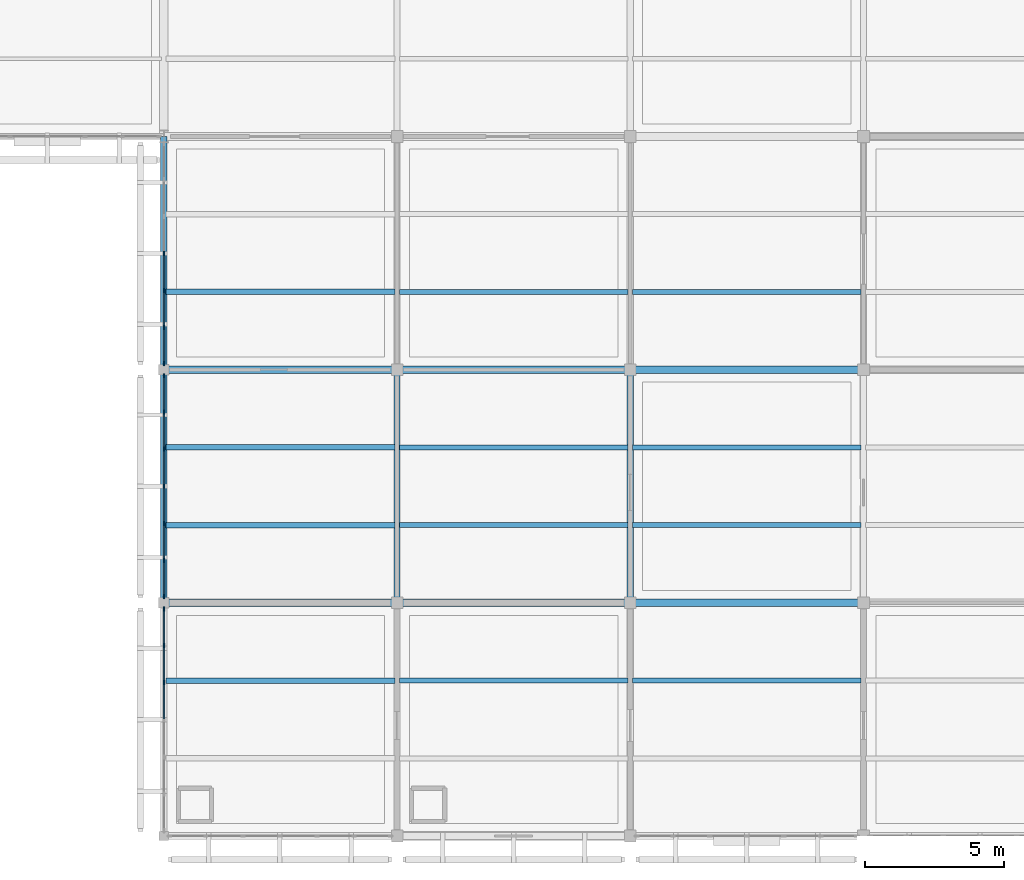
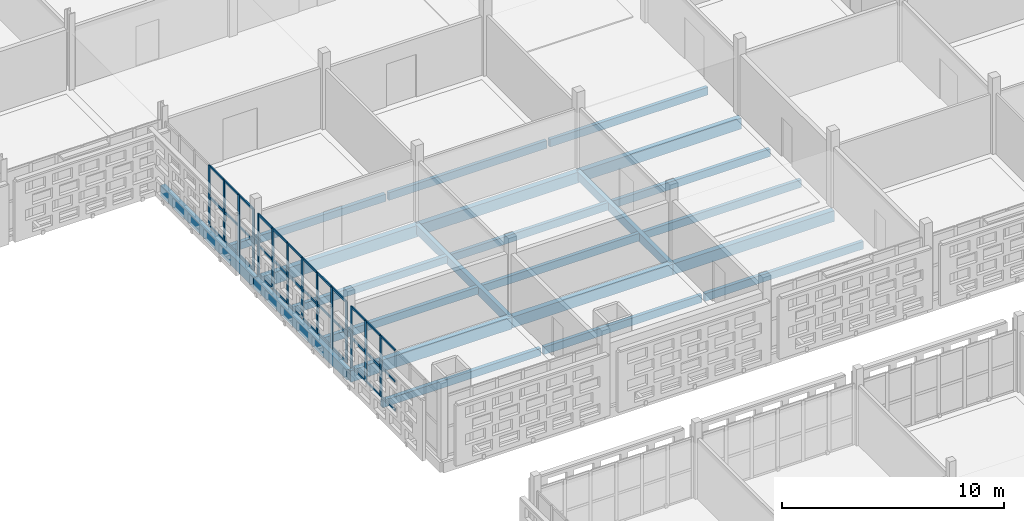
# One storey, part 67 of 166: 50 members, 22 beams, 3 elements without a shape of their own.
"""IFC4 building model written with IfcOpenShell, lengths in metres."""

from ifc_helpers import new_model, si_unit, direction, frame, origin, origin_2d, place, context, subcontext, project, spatial, rectangle, extrude, material, layer, layer_set, material_profile, profile_set, type_object, element, aggregate, save


model = new_model("IFC4")

# Units and contexts
model_context = context("Model", 3, precision=1e-05, world=origin(), true_north=direction((0.0, 1.0)))
body_context = subcontext(model_context, "Body", "Model", "MODEL_VIEW")
ifc_project = project(units=[si_unit("LENGTHUNIT", "METRE"), si_unit("AREAUNIT", "SQUARE_METRE"), si_unit("VOLUMEUNIT", "CUBIC_METRE"), si_unit("PLANEANGLEUNIT", "RADIAN"), si_unit("MASSUNIT", "GRAM", prefix="KILO")], contexts=[model_context])

# Site, building, storey
site_placement = place(None, origin())
site = spatial("IfcSite", under=ifc_project, at=site_placement, CompositionType="ELEMENT")
building_placement = place(site_placement, origin())
building = spatial("IfcBuilding", under=site, at=building_placement, Name="Varnapada Polytechnic", CompositionType="ELEMENT")
storey_placement = place(building_placement, frame((0.0, 0.0, 9.60009765625)))
storey = spatial("IfcBuildingStorey", under=building, at=storey_placement, Name="L02", CompositionType="ELEMENT", Elevation=9.60009765625)

# Beams
ifc_material_1 = material(Name="Glulam GL32h", Category="wood")
ifc_material_profile_1 = material_profile(ifc_material_1, rectangle(XDim=0.280029296875, YDim=0.639892578125, at=origin_2d()), Name="GL 280x640")
ifc_profile_set_1 = profile_set([ifc_material_profile_1], Name="Glulam GL32h")
beam_type_1 = type_object("IfcBeamType", Name="Laboratory primary glulam girder GG-02 (GL 280x640)", PredefinedType="BEAM", material=ifc_profile_set_1)
for number, where, z_axis, x_axis, name in (
    (1, (134.39990234375, 67.199951171875, -0.570068359375), (1.0, 0.0, 0.0), (0.0, 1.0, 0.0), "L02 beam X 17-18 at Y9"),
    (2, (134.39990234375, 75.60009765625, -0.570068359375), (1.0, 0.0, 0.0), (0.0, 1.0, 0.0), "L02 beam X 17-18 at Y10"),
):
    element("IfcBeam", number, at=place(storey_placement, frame(where, z_axis=z_axis, x_axis=x_axis)), inside=storey, type_object=beam_type_1, Name=name, PredefinedType="BEAM", context=body_context, shape_type="SweptSolid", body=[
        extrude(rectangle(XDim=0.280029296875, YDim=0.639892578125, at=origin_2d()), origin(), (0.0, 0.0, 1.0), 8.400146484375),
    ])
ifc_material_profile_2 = material_profile(ifc_material_1, rectangle(XDim=0.199951171875, YDim=0.39990234375, at=origin_2d()), Name="GL 200x400")
ifc_profile_set_2 = profile_set([ifc_material_profile_2], Name="Glulam GL32h")
beam_type_2 = type_object("IfcBeamType", Name="Library/laboratory glulam floor joist GJ-01 (GL 200x400)", PredefinedType="JOIST", material=ifc_profile_set_2)
for number, where, z_axis, x_axis, name in (
    (3, (134.47998046875, 64.39990234375, -0.4501953125), (1.0, 0.0, 0.0), (0.0, 1.0, 0.0), "L02 floor joist 17/8.2"),
    (4, (134.47998046875, 70.0, -0.4501953125), (1.0, 0.0, 0.0), (0.0, 1.0, 0.0), "L02 floor joist 17/9.1"),
    (5, (134.47998046875, 72.800048828125, -0.4501953125), (1.0, 0.0, 0.0), (0.0, 1.0, 0.0), "L02 floor joist 17/9.2"),
    (6, (134.47998046875, 78.39990234375, -0.4501953125), (1.0, 0.0, 0.0), (0.0, 1.0, 0.0), "L02 floor joist 17/10.1"),
):
    element("IfcBeam", number, at=place(storey_placement, frame(where, z_axis=z_axis, x_axis=x_axis)), inside=storey, type_object=beam_type_2, Name=name, PredefinedType="JOIST", context=body_context, shape_type="SweptSolid", body=[
        extrude(rectangle(XDim=0.199951171875, YDim=0.39990234375, at=origin_2d()), origin(), (0.0, 0.0, 1.0), 8.239990234375),
    ])

# Curtain wall, members
ifc_material_2 = material(Name="Double low-E laminated glass", Category="glass")
ifc_layer = layer(ifc_material_2, 0.159912109375)
ifc_layer_set = layer_set([ifc_layer], Name="Double low-E laminated glass")
curtain_wall_type = type_object("IfcCurtainWallType", Name="Curtain Wall CW-01", PredefinedType="NOTDEFINED", material=ifc_layer_set)
curtain_wall_1_placement = place(storey_placement, origin())
curtain_wall_1 = element("IfcCurtainWall", 7, at=curtain_wall_1_placement, inside=storey, type_object=curtain_wall_type, Name="L02 unitised curtain wall CW-01 (189)", PredefinedType="NOTDEFINED")
ifc_material_3 = material(Name="Anodised aluminium", Category="aluminium")
ifc_material_profile_3 = material_profile(ifc_material_3, rectangle(XDim=0.06005859375, YDim=0.159912109375, at=origin_2d()), Name="ALU M60x160")
ifc_profile_set_3 = profile_set([ifc_material_profile_3], Name="Anodised aluminium")
member_type_1 = type_object("IfcMemberType", Name="Mullion M-01", PredefinedType="MULLION", material=ifc_profile_set_3)
member_1_placement = place(storey_placement, frame((134.39990234375, 64.330078125, 0.0), z_axis=(0.0, 0.0, 1.0), x_axis=(-1.0, 0.0, 0.0)))
member_1 = element("IfcMember", 8, at=member_1_placement, type_object=member_type_1, Name="CW-01 mullion 5", PredefinedType="MULLION", context=body_context, shape_type="SweptSolid", body=[
    extrude(rectangle(XDim=0.06005859375, YDim=0.159912109375, at=origin_2d()), origin(), (0.0, 0.0, 1.0), 3.35986328125),
])
member_2_placement = place(storey_placement, frame((134.39990234375, 65.669921875, 0.0), z_axis=(0.0, 0.0, 1.0), x_axis=(-1.0, 0.0, 0.0)))
member_2 = element("IfcMember", 9, at=member_2_placement, type_object=member_type_1, Name="CW-01 mullion 6", PredefinedType="MULLION", context=body_context, shape_type="SweptSolid", body=[
    extrude(rectangle(XDim=0.06005859375, YDim=0.159912109375, at=origin_2d()), origin(), (0.0, 0.0, 1.0), 3.35986328125),
])
member_3_placement = place(storey_placement, frame((134.39990234375, 66.97998046875, 0.0), z_axis=(0.0, 0.0, 1.0), x_axis=(-1.0, 0.0, 0.0)))
member_3 = element("IfcMember", 10, at=member_3_placement, type_object=member_type_1, Name="CW-01 mullion 7", PredefinedType="MULLION", context=body_context, shape_type="SweptSolid", body=[
    extrude(rectangle(XDim=0.06005859375, YDim=0.159912109375, at=origin_2d()), origin(), (0.0, 0.0, 1.0), 3.35986328125),
])

curtain_wall_2_placement = place(storey_placement, origin())
curtain_wall_2 = element("IfcCurtainWall", 11, at=curtain_wall_2_placement, inside=storey, type_object=curtain_wall_type, Name="L02 unitised curtain wall CW-01 (190)", PredefinedType="NOTDEFINED")
member_4_placement = place(storey_placement, frame((134.39990234375, 67.419921875, 0.0), z_axis=(0.0, 0.0, 1.0), x_axis=(-1.0, 0.0, 0.0)))
member_4 = element("IfcMember", 12, at=member_4_placement, type_object=member_type_1, Name="CW-01 mullion 1", PredefinedType="MULLION", context=body_context, shape_type="SweptSolid", body=[
    extrude(rectangle(XDim=0.06005859375, YDim=0.159912109375, at=origin_2d()), origin(), (0.0, 0.0, 1.0), 3.35986328125),
])
member_5_placement = place(storey_placement, frame((134.39990234375, 68.7265625, 0.0), z_axis=(0.0, 0.0, 1.0), x_axis=(-1.0, 0.0, 0.0)))
member_5 = element("IfcMember", 13, at=member_5_placement, type_object=member_type_1, Name="CW-01 mullion 2", PredefinedType="MULLION", context=body_context, shape_type="SweptSolid", body=[
    extrude(rectangle(XDim=0.06005859375, YDim=0.159912109375, at=origin_2d()), origin(), (0.0, 0.0, 1.0), 3.35986328125),
])
member_6_placement = place(storey_placement, frame((134.39990234375, 70.063232421875, 0.0), z_axis=(0.0, 0.0, 1.0), x_axis=(-1.0, 0.0, 0.0)))
member_6 = element("IfcMember", 14, at=member_6_placement, type_object=member_type_1, Name="CW-01 mullion 3", PredefinedType="MULLION", context=body_context, shape_type="SweptSolid", body=[
    extrude(rectangle(XDim=0.06005859375, YDim=0.159912109375, at=origin_2d()), origin(), (0.0, 0.0, 1.0), 3.35986328125),
])
member_7_placement = place(storey_placement, frame((134.39990234375, 71.39990234375, 0.0), z_axis=(0.0, 0.0, 1.0), x_axis=(-1.0, 0.0, 0.0)))
member_7 = element("IfcMember", 15, at=member_7_placement, type_object=member_type_1, Name="CW-01 mullion 4", PredefinedType="MULLION", context=body_context, shape_type="SweptSolid", body=[
    extrude(rectangle(XDim=0.06005859375, YDim=0.159912109375, at=origin_2d()), origin(), (0.0, 0.0, 1.0), 3.35986328125),
])
member_8_placement = place(storey_placement, frame((134.39990234375, 72.736572265625, 0.0), z_axis=(0.0, 0.0, 1.0), x_axis=(-1.0, 0.0, 0.0)))
member_8 = element("IfcMember", 16, at=member_8_placement, type_object=member_type_1, Name="CW-01 mullion 5", PredefinedType="MULLION", context=body_context, shape_type="SweptSolid", body=[
    extrude(rectangle(XDim=0.06005859375, YDim=0.159912109375, at=origin_2d()), origin(), (0.0, 0.0, 1.0), 3.35986328125),
])
member_9_placement = place(storey_placement, frame((134.39990234375, 74.0732421875, 0.0), z_axis=(0.0, 0.0, 1.0), x_axis=(-1.0, 0.0, 0.0)))
member_9 = element("IfcMember", 17, at=member_9_placement, type_object=member_type_1, Name="CW-01 mullion 6", PredefinedType="MULLION", context=body_context, shape_type="SweptSolid", body=[
    extrude(rectangle(XDim=0.06005859375, YDim=0.159912109375, at=origin_2d()), origin(), (0.0, 0.0, 1.0), 3.35986328125),
])
member_10_placement = place(storey_placement, frame((134.39990234375, 75.3798828125, 0.0), z_axis=(0.0, 0.0, 1.0), x_axis=(-1.0, 0.0, 0.0)))
member_10 = element("IfcMember", 18, at=member_10_placement, type_object=member_type_1, Name="CW-01 mullion 7", PredefinedType="MULLION", context=body_context, shape_type="SweptSolid", body=[
    extrude(rectangle(XDim=0.06005859375, YDim=0.159912109375, at=origin_2d()), origin(), (0.0, 0.0, 1.0), 3.35986328125),
])

curtain_wall_3_placement = place(storey_placement, origin())
curtain_wall_3 = element("IfcCurtainWall", 19, at=curtain_wall_3_placement, inside=storey, type_object=curtain_wall_type, Name="L02 unitised curtain wall CW-01 (191)", PredefinedType="NOTDEFINED")
member_11_placement = place(storey_placement, frame((134.39990234375, 75.820068359375, 0.0), z_axis=(0.0, 0.0, 1.0), x_axis=(-1.0, 0.0, 0.0)))
member_11 = element("IfcMember", 20, at=member_11_placement, type_object=member_type_1, Name="CW-01 mullion 1", PredefinedType="MULLION", context=body_context, shape_type="SweptSolid", body=[
    extrude(rectangle(XDim=0.06005859375, YDim=0.159912109375, at=origin_2d()), origin(), (0.0, 0.0, 1.0), 3.35986328125),
])
member_12_placement = place(storey_placement, frame((134.39990234375, 77.12158203125, 0.0), z_axis=(0.0, 0.0, 1.0), x_axis=(-1.0, 0.0, 0.0)))
member_12 = element("IfcMember", 21, at=member_12_placement, type_object=member_type_1, Name="CW-01 mullion 2", PredefinedType="MULLION", context=body_context, shape_type="SweptSolid", body=[
    extrude(rectangle(XDim=0.06005859375, YDim=0.159912109375, at=origin_2d()), origin(), (0.0, 0.0, 1.0), 3.35986328125),
])
member_13_placement = place(storey_placement, frame((134.39990234375, 78.453369140625, 0.0), z_axis=(0.0, 0.0, 1.0), x_axis=(-1.0, 0.0, 0.0)))
member_13 = element("IfcMember", 22, at=member_13_placement, type_object=member_type_1, Name="CW-01 mullion 3", PredefinedType="MULLION", context=body_context, shape_type="SweptSolid", body=[
    extrude(rectangle(XDim=0.06005859375, YDim=0.159912109375, at=origin_2d()), origin(), (0.0, 0.0, 1.0), 3.35986328125),
])
member_14_placement = place(storey_placement, frame((134.39990234375, 79.784912109375, 0.0), z_axis=(0.0, 0.0, 1.0), x_axis=(-1.0, 0.0, 0.0)))
member_14 = element("IfcMember", 23, at=member_14_placement, type_object=member_type_1, Name="CW-01 mullion 4", PredefinedType="MULLION", context=body_context, shape_type="SweptSolid", body=[
    extrude(rectangle(XDim=0.06005859375, YDim=0.159912109375, at=origin_2d()), origin(), (0.0, 0.0, 1.0), 3.35986328125),
])

# Beams
ifc_material_profile_4 = material_profile(ifc_material_1, rectangle(XDim=0.239990234375, YDim=0.56005859375, at=origin_2d()), Name="GL 240x560")
ifc_profile_set_4 = profile_set([ifc_material_profile_4], Name="Glulam GL32h")
beam_type_3 = type_object("IfcBeamType", Name="Perimeter glulam spandrel beam SP-02 (GL 240x560)", PredefinedType="SPANDREL", material=ifc_profile_set_4)
beam_1_placement = place(storey_placement, frame((134.39990234375, 67.199951171875, -0.530029296875), z_axis=(0.0, 1.0, 0.0), x_axis=(-1.0, 0.0, 0.0)))
element("IfcBeam", 24, at=beam_1_placement, inside=storey, type_object=beam_type_3, Name="L02 beam Y 9-10 at X17", PredefinedType="SPANDREL", context=body_context, shape_type="SweptSolid", body=[
    extrude(rectangle(XDim=0.239990234375, YDim=0.56005859375, at=origin_2d()), origin(), (0.0, 0.0, 1.0), 8.400146484375),
])
beam_2_placement = place(storey_placement, frame((134.39990234375, 75.60009765625, -0.530029296875), z_axis=(0.0, 1.0, 0.0), x_axis=(-1.0, 0.0, 0.0)))
element("IfcBeam", 25, at=beam_2_placement, inside=storey, type_object=beam_type_3, Name="L02 beam Y 10-11 at X17", PredefinedType="SPANDREL", context=body_context, shape_type="SweptSolid", body=[
    extrude(rectangle(XDim=0.239990234375, YDim=0.56005859375, at=origin_2d()), origin(), (0.0, 0.0, 1.0), 8.39990234375),
])
ifc_material_profile_5 = material_profile(ifc_material_1, rectangle(XDim=0.280029296875, YDim=0.60009765625, at=origin_2d()), Name="GL 280x600")
ifc_profile_set_5 = profile_set([ifc_material_profile_5], Name="Glulam GL32h")
beam_type_4 = type_object("IfcBeamType", Name="Reading hall glulam girder GG-08 (GL 280x600)", PredefinedType="BEAM", material=ifc_profile_set_5)
for number, where, z_axis, x_axis, name in (
    (26, (142.800048828125, 67.199951171875, -0.550048828125), (1.0, 0.0, 0.0), (0.0, 1.0, 0.0), "L02 beam X 18-19 at Y9"),
    (27, (142.800048828125, 75.60009765625, -0.550048828125), (1.0, 0.0, 0.0), (0.0, 1.0, 0.0), "L02 beam X 18-19 at Y10"),
):
    element("IfcBeam", number, at=place(storey_placement, frame(where, z_axis=z_axis, x_axis=x_axis)), inside=storey, type_object=beam_type_4, Name=name, PredefinedType="BEAM", context=body_context, shape_type="SweptSolid", body=[
        extrude(rectangle(XDim=0.280029296875, YDim=0.60009765625, at=origin_2d()), origin(), (0.0, 0.0, 1.0), 8.39990234375),
    ])
for number, where, z_axis, x_axis, name in (
    (28, (151.199951171875, 67.199951171875, -0.550048828125), (1.0, 0.0, 0.0), (0.0, 1.0, 0.0), "L02 beam X 19-20 at Y9"),
    (29, (151.199951171875, 75.60009765625, -0.550048828125), (1.0, 0.0, 0.0), (0.0, 1.0, 0.0), "L02 beam X 19-20 at Y10"),
):
    element("IfcBeam", number, at=place(storey_placement, frame(where, z_axis=z_axis, x_axis=x_axis)), inside=storey, type_object=beam_type_4, Name=name, PredefinedType="BEAM", context=body_context, shape_type="SweptSolid", body=[
        extrude(rectangle(XDim=0.280029296875, YDim=0.60009765625, at=origin_2d()), origin(), (0.0, 0.0, 1.0), 8.400146484375),
    ])
ifc_material_profile_6 = material_profile(ifc_material_1, rectangle(XDim=0.179931640625, YDim=0.419921875, at=origin_2d()), Name="GL 180x420")
ifc_profile_set_6 = profile_set([ifc_material_profile_6], Name="Glulam GL32h")
beam_type_5 = type_object("IfcBeamType", Name="Reading hall glulam joist GJ-04 (GL 180x420)", PredefinedType="JOIST", material=ifc_profile_set_6)
for number, where, z_axis, x_axis, name in (
    (30, (142.8798828125, 64.39990234375, -0.460205078125), (1.0, 0.0, 0.0), (0.0, 1.0, 0.0), "L02 floor joist 18/8.2"),
    (31, (142.8798828125, 70.0, -0.460205078125), (1.0, 0.0, 0.0), (0.0, 1.0, 0.0), "L02 floor joist 18/9.1"),
    (32, (142.8798828125, 72.800048828125, -0.460205078125), (1.0, 0.0, 0.0), (0.0, 1.0, 0.0), "L02 floor joist 18/9.2"),
    (33, (142.8798828125, 78.39990234375, -0.460205078125), (1.0, 0.0, 0.0), (0.0, 1.0, 0.0), "L02 floor joist 18/10.1"),
):
    element("IfcBeam", number, at=place(storey_placement, frame(where, z_axis=z_axis, x_axis=x_axis)), inside=storey, type_object=beam_type_5, Name=name, PredefinedType="JOIST", context=body_context, shape_type="SweptSolid", body=[
        extrude(rectangle(XDim=0.179931640625, YDim=0.419921875, at=origin_2d()), origin(), (0.0, 0.0, 1.0), 8.240234375),
    ])
for number, where, z_axis, x_axis, name in (
    (34, (151.280029296875, 64.39990234375, -0.460205078125), (1.0, 0.0, 0.0), (0.0, 1.0, 0.0), "L02 floor joist 19/8.2"),
    (35, (151.280029296875, 70.0, -0.460205078125), (1.0, 0.0, 0.0), (0.0, 1.0, 0.0), "L02 floor joist 19/9.1"),
    (36, (151.280029296875, 72.800048828125, -0.460205078125), (1.0, 0.0, 0.0), (0.0, 1.0, 0.0), "L02 floor joist 19/9.2"),
    (37, (151.280029296875, 78.39990234375, -0.460205078125), (1.0, 0.0, 0.0), (0.0, 1.0, 0.0), "L02 floor joist 19/10.1"),
):
    element("IfcBeam", number, at=place(storey_placement, frame(where, z_axis=z_axis, x_axis=x_axis)), inside=storey, type_object=beam_type_5, Name=name, PredefinedType="JOIST", context=body_context, shape_type="SweptSolid", body=[
        extrude(rectangle(XDim=0.179931640625, YDim=0.419921875, at=origin_2d()), origin(), (0.0, 0.0, 1.0), 8.239990234375),
    ])

# Member
ifc_material_profile_7 = material_profile(ifc_material_3, rectangle(XDim=0.06005859375, YDim=0.1201171875, at=origin_2d()), Name="ALU T60x120")
ifc_profile_set_7 = profile_set([ifc_material_profile_7], Name="Anodised aluminium")
member_type_2 = type_object("IfcMemberType", Name="Transom T-01", PredefinedType="USERDEFINED", material=ifc_profile_set_7)
member_15_placement = place(storey_placement, frame((134.39990234375, 63.02001953125, 0.02978515625), z_axis=(0.0, 1.0, 0.0), x_axis=(-1.0, 0.0, 0.0)))
member_15 = element("IfcMember", 38, at=member_15_placement, type_object=member_type_2, Name="CW-01 transom 4.1", ObjectType="TRANSOM", PredefinedType="USERDEFINED", context=body_context, shape_type="SweptSolid", body=[
    extrude(rectangle(XDim=0.06005859375, YDim=0.1201171875, at=origin_2d()), origin(), (0.0, 0.0, 1.0), 1.280029296875),
])

member_16_placement = place(storey_placement, frame((134.39990234375, 63.02001953125, 1.61279296875), z_axis=(0.0, 1.0, 0.0), x_axis=(-1.0, 0.0, 0.0)))
member_16 = element("IfcMember", 39, at=member_16_placement, type_object=member_type_2, Name="CW-01 transom 4.2", ObjectType="TRANSOM", PredefinedType="USERDEFINED", context=body_context, shape_type="SweptSolid", body=[
    extrude(rectangle(XDim=0.06005859375, YDim=0.1201171875, at=origin_2d()), origin(), (0.0, 0.0, 1.0), 1.280029296875),
])

member_17_placement = place(storey_placement, frame((134.39990234375, 63.02001953125, 3.329833984375), z_axis=(0.0, 1.0, 0.0), x_axis=(-1.0, 0.0, 0.0)))
member_17 = element("IfcMember", 40, at=member_17_placement, type_object=member_type_2, Name="CW-01 transom 4.3", ObjectType="TRANSOM", PredefinedType="USERDEFINED", context=body_context, shape_type="SweptSolid", body=[
    extrude(rectangle(XDim=0.06005859375, YDim=0.1201171875, at=origin_2d()), origin(), (0.0, 0.0, 1.0), 1.280029296875),
])

member_18_placement = place(storey_placement, frame((134.39990234375, 64.360107421875, 0.02978515625), z_axis=(0.0, 1.0, 0.0), x_axis=(-1.0, 0.0, 0.0)))
member_18 = element("IfcMember", 41, at=member_18_placement, type_object=member_type_2, Name="CW-01 transom 5.1", ObjectType="TRANSOM", PredefinedType="USERDEFINED", context=body_context, shape_type="SweptSolid", body=[
    extrude(rectangle(XDim=0.06005859375, YDim=0.1201171875, at=origin_2d()), origin(), (0.0, 0.0, 1.0), 1.27978515625),
])

member_19_placement = place(storey_placement, frame((134.39990234375, 64.360107421875, 1.61279296875), z_axis=(0.0, 1.0, 0.0), x_axis=(-1.0, 0.0, 0.0)))
member_19 = element("IfcMember", 42, at=member_19_placement, type_object=member_type_2, Name="CW-01 transom 5.2", ObjectType="TRANSOM", PredefinedType="USERDEFINED", context=body_context, shape_type="SweptSolid", body=[
    extrude(rectangle(XDim=0.06005859375, YDim=0.1201171875, at=origin_2d()), origin(), (0.0, 0.0, 1.0), 1.27978515625),
])

member_20_placement = place(storey_placement, frame((134.39990234375, 64.360107421875, 3.329833984375), z_axis=(0.0, 1.0, 0.0), x_axis=(-1.0, 0.0, 0.0)))
member_20 = element("IfcMember", 43, at=member_20_placement, type_object=member_type_2, Name="CW-01 transom 5.3", ObjectType="TRANSOM", PredefinedType="USERDEFINED", context=body_context, shape_type="SweptSolid", body=[
    extrude(rectangle(XDim=0.06005859375, YDim=0.1201171875, at=origin_2d()), origin(), (0.0, 0.0, 1.0), 1.27978515625),
])

member_21_placement = place(storey_placement, frame((134.39990234375, 65.699951171875, 0.02978515625), z_axis=(0.0, 1.0, 0.0), x_axis=(-1.0, 0.0, 0.0)))
member_21 = element("IfcMember", 44, at=member_21_placement, type_object=member_type_2, Name="CW-01 transom 6.1", ObjectType="TRANSOM", PredefinedType="USERDEFINED", context=body_context, shape_type="SweptSolid", body=[
    extrude(rectangle(XDim=0.06005859375, YDim=0.1201171875, at=origin_2d()), origin(), (0.0, 0.0, 1.0), 1.25),
])

member_22_placement = place(storey_placement, frame((134.39990234375, 65.699951171875, 1.61279296875), z_axis=(0.0, 1.0, 0.0), x_axis=(-1.0, 0.0, 0.0)))
member_22 = element("IfcMember", 45, at=member_22_placement, type_object=member_type_2, Name="CW-01 transom 6.2", ObjectType="TRANSOM", PredefinedType="USERDEFINED", context=body_context, shape_type="SweptSolid", body=[
    extrude(rectangle(XDim=0.06005859375, YDim=0.1201171875, at=origin_2d()), origin(), (0.0, 0.0, 1.0), 1.25),
])

member_23_placement = place(storey_placement, frame((134.39990234375, 65.699951171875, 3.329833984375), z_axis=(0.0, 1.0, 0.0), x_axis=(-1.0, 0.0, 0.0)))
member_23 = element("IfcMember", 46, at=member_23_placement, type_object=member_type_2, Name="CW-01 transom 6.3", ObjectType="TRANSOM", PredefinedType="USERDEFINED", context=body_context, shape_type="SweptSolid", body=[
    extrude(rectangle(XDim=0.06005859375, YDim=0.1201171875, at=origin_2d()), origin(), (0.0, 0.0, 1.0), 1.25),
])

aggregate(curtain_wall_1, [member_1, member_2, member_3, member_15, member_16, member_17, member_18, member_19, member_20, member_21, member_22, member_23])

member_24_placement = place(storey_placement, frame((134.39990234375, 67.449951171875, 0.02978515625), z_axis=(0.0, 1.0, 0.0), x_axis=(-1.0, 0.0, 0.0)))
member_24 = element("IfcMember", 47, at=member_24_placement, type_object=member_type_2, Name="CW-01 transom 1.1", ObjectType="TRANSOM", PredefinedType="USERDEFINED", context=body_context, shape_type="SweptSolid", body=[
    extrude(rectangle(XDim=0.06005859375, YDim=0.1201171875, at=origin_2d()), origin(), (0.0, 0.0, 1.0), 1.246826171875),
])

member_25_placement = place(storey_placement, frame((134.39990234375, 67.449951171875, 1.61279296875), z_axis=(0.0, 1.0, 0.0), x_axis=(-1.0, 0.0, 0.0)))
member_25 = element("IfcMember", 48, at=member_25_placement, type_object=member_type_2, Name="CW-01 transom 1.2", ObjectType="TRANSOM", PredefinedType="USERDEFINED", context=body_context, shape_type="SweptSolid", body=[
    extrude(rectangle(XDim=0.06005859375, YDim=0.1201171875, at=origin_2d()), origin(), (0.0, 0.0, 1.0), 1.246826171875),
])

member_26_placement = place(storey_placement, frame((134.39990234375, 67.449951171875, 3.329833984375), z_axis=(0.0, 1.0, 0.0), x_axis=(-1.0, 0.0, 0.0)))
member_26 = element("IfcMember", 49, at=member_26_placement, type_object=member_type_2, Name="CW-01 transom 1.3", ObjectType="TRANSOM", PredefinedType="USERDEFINED", context=body_context, shape_type="SweptSolid", body=[
    extrude(rectangle(XDim=0.06005859375, YDim=0.1201171875, at=origin_2d()), origin(), (0.0, 0.0, 1.0), 1.246826171875),
])

member_27_placement = place(storey_placement, frame((134.39990234375, 68.756591796875, 0.02978515625), z_axis=(0.0, 1.0, 0.0), x_axis=(-1.0, 0.0, 0.0)))
member_27 = element("IfcMember", 50, at=member_27_placement, type_object=member_type_2, Name="CW-01 transom 2.1", ObjectType="TRANSOM", PredefinedType="USERDEFINED", context=body_context, shape_type="SweptSolid", body=[
    extrude(rectangle(XDim=0.06005859375, YDim=0.1201171875, at=origin_2d()), origin(), (0.0, 0.0, 1.0), 1.27685546875),
])

member_28_placement = place(storey_placement, frame((134.39990234375, 68.756591796875, 1.61279296875), z_axis=(0.0, 1.0, 0.0), x_axis=(-1.0, 0.0, 0.0)))
member_28 = element("IfcMember", 51, at=member_28_placement, type_object=member_type_2, Name="CW-01 transom 2.2", ObjectType="TRANSOM", PredefinedType="USERDEFINED", context=body_context, shape_type="SweptSolid", body=[
    extrude(rectangle(XDim=0.06005859375, YDim=0.1201171875, at=origin_2d()), origin(), (0.0, 0.0, 1.0), 1.27685546875),
])

member_29_placement = place(storey_placement, frame((134.39990234375, 68.756591796875, 3.329833984375), z_axis=(0.0, 1.0, 0.0), x_axis=(-1.0, 0.0, 0.0)))
member_29 = element("IfcMember", 52, at=member_29_placement, type_object=member_type_2, Name="CW-01 transom 2.3", ObjectType="TRANSOM", PredefinedType="USERDEFINED", context=body_context, shape_type="SweptSolid", body=[
    extrude(rectangle(XDim=0.06005859375, YDim=0.1201171875, at=origin_2d()), origin(), (0.0, 0.0, 1.0), 1.27685546875),
])

member_30_placement = place(storey_placement, frame((134.39990234375, 70.09326171875, 0.02978515625), z_axis=(0.0, 1.0, 0.0), x_axis=(-1.0, 0.0, 0.0)))
member_30 = element("IfcMember", 53, at=member_30_placement, type_object=member_type_2, Name="CW-01 transom 3.1", ObjectType="TRANSOM", PredefinedType="USERDEFINED", context=body_context, shape_type="SweptSolid", body=[
    extrude(rectangle(XDim=0.06005859375, YDim=0.1201171875, at=origin_2d()), origin(), (0.0, 0.0, 1.0), 1.27685546875),
])

member_31_placement = place(storey_placement, frame((134.39990234375, 70.09326171875, 1.61279296875), z_axis=(0.0, 1.0, 0.0), x_axis=(-1.0, 0.0, 0.0)))
member_31 = element("IfcMember", 54, at=member_31_placement, type_object=member_type_2, Name="CW-01 transom 3.2", ObjectType="TRANSOM", PredefinedType="USERDEFINED", context=body_context, shape_type="SweptSolid", body=[
    extrude(rectangle(XDim=0.06005859375, YDim=0.1201171875, at=origin_2d()), origin(), (0.0, 0.0, 1.0), 1.27685546875),
])

member_32_placement = place(storey_placement, frame((134.39990234375, 70.09326171875, 3.329833984375), z_axis=(0.0, 1.0, 0.0), x_axis=(-1.0, 0.0, 0.0)))
member_32 = element("IfcMember", 55, at=member_32_placement, type_object=member_type_2, Name="CW-01 transom 3.3", ObjectType="TRANSOM", PredefinedType="USERDEFINED", context=body_context, shape_type="SweptSolid", body=[
    extrude(rectangle(XDim=0.06005859375, YDim=0.1201171875, at=origin_2d()), origin(), (0.0, 0.0, 1.0), 1.27685546875),
])

member_33_placement = place(storey_placement, frame((134.39990234375, 71.429931640625, 0.02978515625), z_axis=(0.0, 1.0, 0.0), x_axis=(-1.0, 0.0, 0.0)))
member_33 = element("IfcMember", 56, at=member_33_placement, type_object=member_type_2, Name="CW-01 transom 4.1", ObjectType="TRANSOM", PredefinedType="USERDEFINED", context=body_context, shape_type="SweptSolid", body=[
    extrude(rectangle(XDim=0.06005859375, YDim=0.1201171875, at=origin_2d()), origin(), (0.0, 0.0, 1.0), 1.27685546875),
])

member_34_placement = place(storey_placement, frame((134.39990234375, 71.429931640625, 1.61279296875), z_axis=(0.0, 1.0, 0.0), x_axis=(-1.0, 0.0, 0.0)))
member_34 = element("IfcMember", 57, at=member_34_placement, type_object=member_type_2, Name="CW-01 transom 4.2", ObjectType="TRANSOM", PredefinedType="USERDEFINED", context=body_context, shape_type="SweptSolid", body=[
    extrude(rectangle(XDim=0.06005859375, YDim=0.1201171875, at=origin_2d()), origin(), (0.0, 0.0, 1.0), 1.27685546875),
])

member_35_placement = place(storey_placement, frame((134.39990234375, 71.429931640625, 3.329833984375), z_axis=(0.0, 1.0, 0.0), x_axis=(-1.0, 0.0, 0.0)))
member_35 = element("IfcMember", 58, at=member_35_placement, type_object=member_type_2, Name="CW-01 transom 4.3", ObjectType="TRANSOM", PredefinedType="USERDEFINED", context=body_context, shape_type="SweptSolid", body=[
    extrude(rectangle(XDim=0.06005859375, YDim=0.1201171875, at=origin_2d()), origin(), (0.0, 0.0, 1.0), 1.27685546875),
])

member_36_placement = place(storey_placement, frame((134.39990234375, 72.7666015625, 0.02978515625), z_axis=(0.0, 1.0, 0.0), x_axis=(-1.0, 0.0, 0.0)))
member_36 = element("IfcMember", 59, at=member_36_placement, type_object=member_type_2, Name="CW-01 transom 5.1", ObjectType="TRANSOM", PredefinedType="USERDEFINED", context=body_context, shape_type="SweptSolid", body=[
    extrude(rectangle(XDim=0.06005859375, YDim=0.1201171875, at=origin_2d()), origin(), (0.0, 0.0, 1.0), 1.276611328125),
])

member_37_placement = place(storey_placement, frame((134.39990234375, 72.7666015625, 1.61279296875), z_axis=(0.0, 1.0, 0.0), x_axis=(-1.0, 0.0, 0.0)))
member_37 = element("IfcMember", 60, at=member_37_placement, type_object=member_type_2, Name="CW-01 transom 5.2", ObjectType="TRANSOM", PredefinedType="USERDEFINED", context=body_context, shape_type="SweptSolid", body=[
    extrude(rectangle(XDim=0.06005859375, YDim=0.1201171875, at=origin_2d()), origin(), (0.0, 0.0, 1.0), 1.276611328125),
])

member_38_placement = place(storey_placement, frame((134.39990234375, 72.7666015625, 3.329833984375), z_axis=(0.0, 1.0, 0.0), x_axis=(-1.0, 0.0, 0.0)))
member_38 = element("IfcMember", 61, at=member_38_placement, type_object=member_type_2, Name="CW-01 transom 5.3", ObjectType="TRANSOM", PredefinedType="USERDEFINED", context=body_context, shape_type="SweptSolid", body=[
    extrude(rectangle(XDim=0.06005859375, YDim=0.1201171875, at=origin_2d()), origin(), (0.0, 0.0, 1.0), 1.276611328125),
])

member_39_placement = place(storey_placement, frame((134.39990234375, 74.103271484375, 0.02978515625), z_axis=(0.0, 1.0, 0.0), x_axis=(-1.0, 0.0, 0.0)))
member_39 = element("IfcMember", 62, at=member_39_placement, type_object=member_type_2, Name="CW-01 transom 6.1", ObjectType="TRANSOM", PredefinedType="USERDEFINED", context=body_context, shape_type="SweptSolid", body=[
    extrude(rectangle(XDim=0.06005859375, YDim=0.1201171875, at=origin_2d()), origin(), (0.0, 0.0, 1.0), 1.246826171875),
])

member_40_placement = place(storey_placement, frame((134.39990234375, 74.103271484375, 1.61279296875), z_axis=(0.0, 1.0, 0.0), x_axis=(-1.0, 0.0, 0.0)))
member_40 = element("IfcMember", 63, at=member_40_placement, type_object=member_type_2, Name="CW-01 transom 6.2", ObjectType="TRANSOM", PredefinedType="USERDEFINED", context=body_context, shape_type="SweptSolid", body=[
    extrude(rectangle(XDim=0.06005859375, YDim=0.1201171875, at=origin_2d()), origin(), (0.0, 0.0, 1.0), 1.246826171875),
])

member_41_placement = place(storey_placement, frame((134.39990234375, 74.103271484375, 3.329833984375), z_axis=(0.0, 1.0, 0.0), x_axis=(-1.0, 0.0, 0.0)))
member_41 = element("IfcMember", 64, at=member_41_placement, type_object=member_type_2, Name="CW-01 transom 6.3", ObjectType="TRANSOM", PredefinedType="USERDEFINED", context=body_context, shape_type="SweptSolid", body=[
    extrude(rectangle(XDim=0.06005859375, YDim=0.1201171875, at=origin_2d()), origin(), (0.0, 0.0, 1.0), 1.246826171875),
])

aggregate(curtain_wall_2, [member_4, member_5, member_6, member_7, member_8, member_9, member_10, member_24, member_25, member_26, member_27, member_28, member_29, member_30, member_31, member_32, member_33, member_34, member_35, member_36, member_37, member_38, member_39, member_40, member_41])

member_42_placement = place(storey_placement, frame((134.39990234375, 75.85009765625, 0.02978515625), z_axis=(0.0, 1.0, 0.0), x_axis=(-1.0, 0.0, 0.0)))
member_42 = element("IfcMember", 65, at=member_42_placement, type_object=member_type_2, Name="CW-01 transom 1.1", ObjectType="TRANSOM", PredefinedType="USERDEFINED", context=body_context, shape_type="SweptSolid", body=[
    extrude(rectangle(XDim=0.06005859375, YDim=0.1201171875, at=origin_2d()), origin(), (0.0, 0.0, 1.0), 1.241455078125),
])

member_43_placement = place(storey_placement, frame((134.39990234375, 75.85009765625, 1.61279296875), z_axis=(0.0, 1.0, 0.0), x_axis=(-1.0, 0.0, 0.0)))
member_43 = element("IfcMember", 66, at=member_43_placement, type_object=member_type_2, Name="CW-01 transom 1.2", ObjectType="TRANSOM", PredefinedType="USERDEFINED", context=body_context, shape_type="SweptSolid", body=[
    extrude(rectangle(XDim=0.06005859375, YDim=0.1201171875, at=origin_2d()), origin(), (0.0, 0.0, 1.0), 1.241455078125),
])

member_44_placement = place(storey_placement, frame((134.39990234375, 75.85009765625, 3.329833984375), z_axis=(0.0, 1.0, 0.0), x_axis=(-1.0, 0.0, 0.0)))
member_44 = element("IfcMember", 67, at=member_44_placement, type_object=member_type_2, Name="CW-01 transom 1.3", ObjectType="TRANSOM", PredefinedType="USERDEFINED", context=body_context, shape_type="SweptSolid", body=[
    extrude(rectangle(XDim=0.06005859375, YDim=0.1201171875, at=origin_2d()), origin(), (0.0, 0.0, 1.0), 1.241455078125),
])

member_45_placement = place(storey_placement, frame((134.39990234375, 77.151611328125, 0.02978515625), z_axis=(0.0, 1.0, 0.0), x_axis=(-1.0, 0.0, 0.0)))
member_45 = element("IfcMember", 68, at=member_45_placement, type_object=member_type_2, Name="CW-01 transom 2.1", ObjectType="TRANSOM", PredefinedType="USERDEFINED", context=body_context, shape_type="SweptSolid", body=[
    extrude(rectangle(XDim=0.06005859375, YDim=0.1201171875, at=origin_2d()), origin(), (0.0, 0.0, 1.0), 1.271728515625),
])

member_46_placement = place(storey_placement, frame((134.39990234375, 77.151611328125, 1.61279296875), z_axis=(0.0, 1.0, 0.0), x_axis=(-1.0, 0.0, 0.0)))
member_46 = element("IfcMember", 69, at=member_46_placement, type_object=member_type_2, Name="CW-01 transom 2.2", ObjectType="TRANSOM", PredefinedType="USERDEFINED", context=body_context, shape_type="SweptSolid", body=[
    extrude(rectangle(XDim=0.06005859375, YDim=0.1201171875, at=origin_2d()), origin(), (0.0, 0.0, 1.0), 1.271728515625),
])

member_47_placement = place(storey_placement, frame((134.39990234375, 77.151611328125, 3.329833984375), z_axis=(0.0, 1.0, 0.0), x_axis=(-1.0, 0.0, 0.0)))
member_47 = element("IfcMember", 70, at=member_47_placement, type_object=member_type_2, Name="CW-01 transom 2.3", ObjectType="TRANSOM", PredefinedType="USERDEFINED", context=body_context, shape_type="SweptSolid", body=[
    extrude(rectangle(XDim=0.06005859375, YDim=0.1201171875, at=origin_2d()), origin(), (0.0, 0.0, 1.0), 1.271728515625),
])

member_48_placement = place(storey_placement, frame((134.39990234375, 78.4833984375, 0.02978515625), z_axis=(0.0, 1.0, 0.0), x_axis=(-1.0, 0.0, 0.0)))
member_48 = element("IfcMember", 71, at=member_48_placement, type_object=member_type_2, Name="CW-01 transom 3.1", ObjectType="TRANSOM", PredefinedType="USERDEFINED", context=body_context, shape_type="SweptSolid", body=[
    extrude(rectangle(XDim=0.06005859375, YDim=0.1201171875, at=origin_2d()), origin(), (0.0, 0.0, 1.0), 1.271484375),
])

member_49_placement = place(storey_placement, frame((134.39990234375, 78.4833984375, 1.61279296875), z_axis=(0.0, 1.0, 0.0), x_axis=(-1.0, 0.0, 0.0)))
member_49 = element("IfcMember", 72, at=member_49_placement, type_object=member_type_2, Name="CW-01 transom 3.2", ObjectType="TRANSOM", PredefinedType="USERDEFINED", context=body_context, shape_type="SweptSolid", body=[
    extrude(rectangle(XDim=0.06005859375, YDim=0.1201171875, at=origin_2d()), origin(), (0.0, 0.0, 1.0), 1.271484375),
])

member_50_placement = place(storey_placement, frame((134.39990234375, 78.4833984375, 3.329833984375), z_axis=(0.0, 1.0, 0.0), x_axis=(-1.0, 0.0, 0.0)))
member_50 = element("IfcMember", 73, at=member_50_placement, type_object=member_type_2, Name="CW-01 transom 3.3", ObjectType="TRANSOM", PredefinedType="USERDEFINED", context=body_context, shape_type="SweptSolid", body=[
    extrude(rectangle(XDim=0.06005859375, YDim=0.1201171875, at=origin_2d()), origin(), (0.0, 0.0, 1.0), 1.271484375),
])

aggregate(curtain_wall_3, [member_11, member_12, member_13, member_14, member_42, member_43, member_44, member_45, member_46, member_47, member_48, member_49, member_50])

# Beams
ifc_material_profile_8 = material_profile(ifc_material_1, rectangle(XDim=0.219970703125, YDim=0.47998046875, at=origin_2d()), Name="GL 220x480")
ifc_profile_set_8 = profile_set([ifc_material_profile_8], Name="Glulam GL32h")
beam_type_6 = type_object("IfcBeamType", Name="Upper floor glulam tie beam GB-11 (GL 220x480)", PredefinedType="BEAM", material=ifc_profile_set_8)
for number, where, z_axis, x_axis, name in (
    (74, (142.800048828125, 67.199951171875, -0.489990234375), (0.0, 1.0, 0.0), (-1.0, 0.0, 0.0), "L02 beam Y 9-10 at X18"),
    (75, (151.199951171875, 67.199951171875, -0.489990234375), (0.0, 1.0, 0.0), (-1.0, 0.0, 0.0), "L02 beam Y 9-10 at X19"),
):
    element("IfcBeam", number, at=place(storey_placement, frame(where, z_axis=z_axis, x_axis=x_axis)), inside=storey, type_object=beam_type_6, Name=name, PredefinedType="BEAM", context=body_context, shape_type="SweptSolid", body=[
        extrude(rectangle(XDim=0.219970703125, YDim=0.47998046875, at=origin_2d()), origin(), (0.0, 0.0, 1.0), 8.400146484375),
    ])

save(model, "model.ifc")
